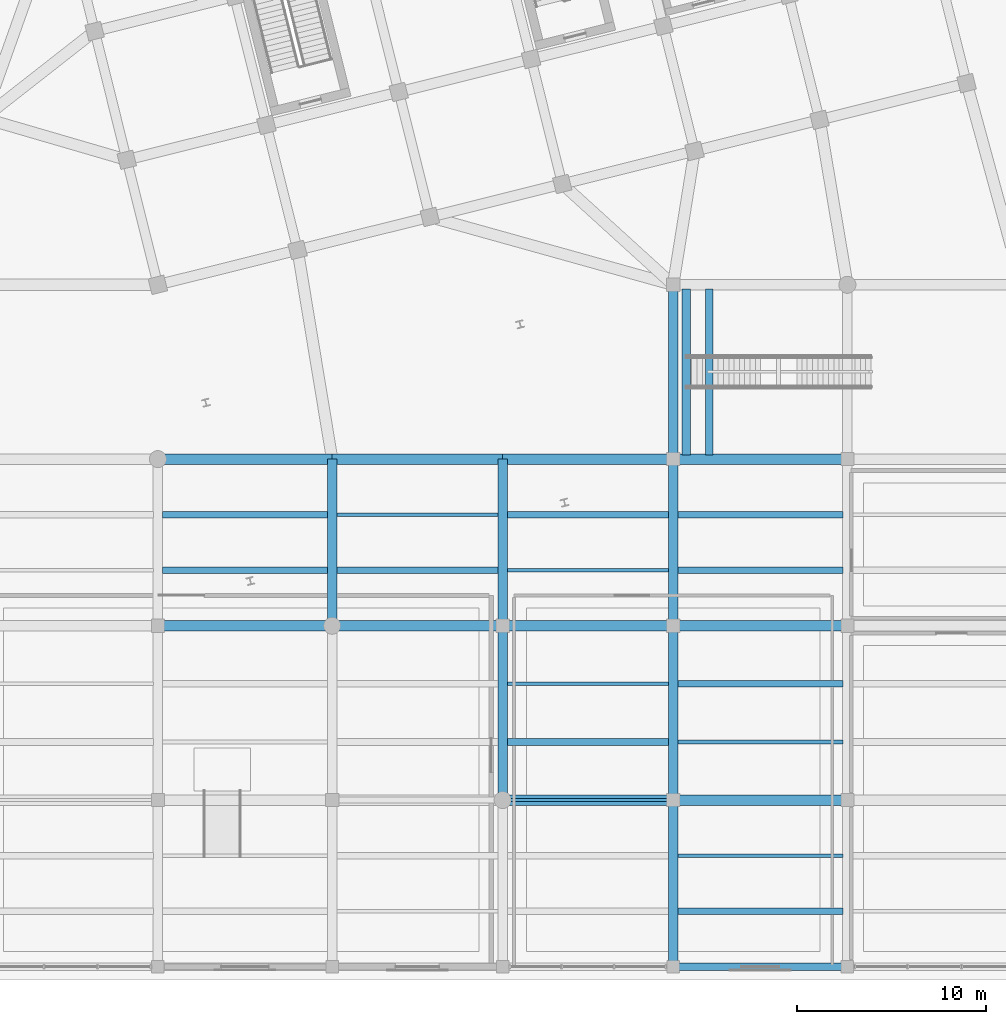
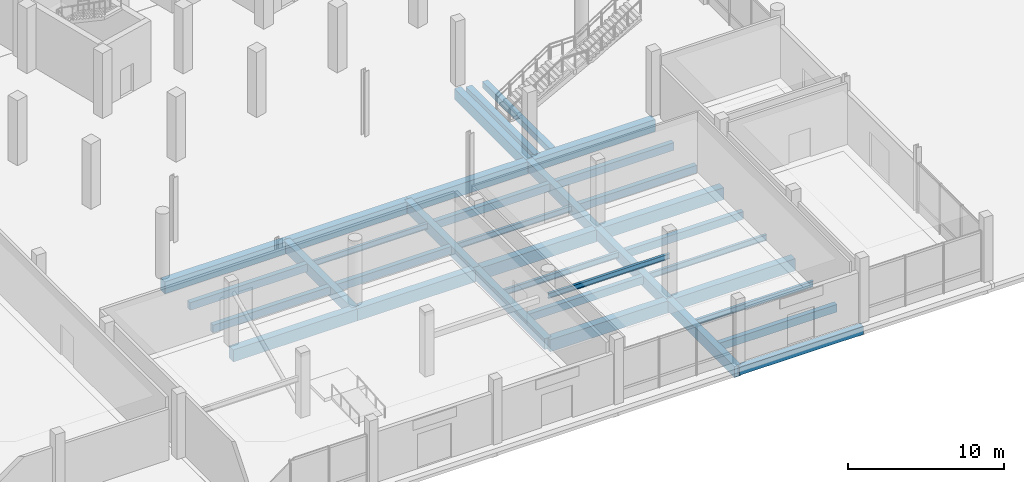
# One storey, part 13 of 73: 35 beams.
"""IFC4 building model written with IfcOpenShell, lengths in metres."""

from ifc_helpers import new_model, si_unit, direction, frame, origin, origin_2d, place, context, subcontext, project, spatial, rectangle, i_section, extrude, material, material_profile, profile_set, type_object, element, save


model = new_model("IFC4")

# Units and contexts
model_context = context("Model", 3, precision=1e-05, world=origin(), true_north=direction((0.0, 1.0)))
body_context = subcontext(model_context, "Body", "Model", "MODEL_VIEW")
ifc_project = project(units=[si_unit("LENGTHUNIT", "METRE"), si_unit("AREAUNIT", "SQUARE_METRE"), si_unit("VOLUMEUNIT", "CUBIC_METRE"), si_unit("PLANEANGLEUNIT", "RADIAN"), si_unit("MASSUNIT", "GRAM", prefix="KILO")], contexts=[model_context])

# Site, building, storey
site_placement = place(None, origin())
site = spatial("IfcSite", under=ifc_project, at=site_placement, CompositionType="ELEMENT")
building_placement = place(site_placement, origin())
building = spatial("IfcBuilding", under=site, at=building_placement, Name="Meriwether Solvik Hall", CompositionType="ELEMENT")
storey_placement = place(building_placement, origin())
storey = spatial("IfcBuildingStorey", under=building, at=storey_placement, Name="L00", CompositionType="ELEMENT", Elevation=0.0)

# Beams
ifc_material_1 = material(Name="Concrete C40/50", Category="concrete")
ifc_material_profile_1 = material_profile(ifc_material_1, rectangle(XDim=0.39990234375, YDim=0.47998046875, at=origin_2d()), Name="RCB-400X480")
ifc_profile_set_1 = profile_set([ifc_material_profile_1], Name="Concrete C40/50")
beam_type_1 = type_object("IfcBeamType", Name="BM-LND-RC-400X480", PredefinedType="BEAM", material=ifc_profile_set_1)
beam_1_placement = place(storey_placement, frame((97.7021484375, 32.215087890625, -0.60009765625), z_axis=(0.0, 1.0, 0.0), x_axis=(-1.0, 0.0, 0.0)))
element("IfcBeam", 1, at=beam_1_placement, inside=storey, type_object=beam_type_1, Name="Stair ST-AT1 Spine Trimmer Beam", PredefinedType="BEAM", context=body_context, shape_type="SweptSolid", body=[
    extrude(rectangle(XDim=0.39990234375, YDim=0.47998046875, at=origin_2d()), origin(), (0.0, 0.0, 1.0), 8.77001953125),
])
ifc_material_2 = material(Name="Concrete C40/50", Category="concrete")
ifc_material_profile_2 = material_profile(ifc_material_2, rectangle(XDim=0.35009765625, YDim=0.60009765625, at=origin_2d()), Name="RCB-350X600")
ifc_profile_set_2 = profile_set([ifc_material_profile_2], Name="Concrete C40/50")
beam_type_2 = type_object("IfcBeamType", Name="BM-RC-350X600", PredefinedType="JOIST", material=ifc_profile_set_2)
for number, where, z_axis, x_axis, name in (
    (2, (68.844970703125, 26.13330078125, -0.659912109375), (1.0, 0.0, 0.0), (0.0, 1.0, 0.0), "Secondary Floor Joist 8/C_J1 (L00)"),
    (3, (68.844970703125, 29.066650390625, -0.659912109375), (1.0, 0.0, 0.0), (0.0, 1.0, 0.0), "Secondary Floor Joist 8/C_J2 (L00)"),
):
    element("IfcBeam", number, at=place(storey_placement, frame(where, z_axis=z_axis, x_axis=x_axis)), inside=storey, type_object=beam_type_2, Name=name, PredefinedType="JOIST", context=body_context, shape_type="SweptSolid", body=[
        extrude(rectangle(XDim=0.35009765625, YDim=0.60009765625, at=origin_2d()), origin(), (0.0, 0.0, 1.0), 8.7099609375),
    ])
for number, where, z_axis, x_axis, name in (
    (4, (78.044921875, 26.13330078125, -0.659912109375), (1.0, 0.0, 0.0), (0.0, 1.0, 0.0), "Secondary Floor Joist 9/C_J1 (L00)"),
    (5, (87.044921875, 17.066650390625, -0.659912109375), (1.0, 0.0, 0.0), (0.0, 1.0, 0.0), "Secondary Floor Joist 10/B_J1 (L00)"),
    (6, (87.044921875, 29.066650390625, -0.659912109375), (1.0, 0.0, 0.0), (0.0, 1.0, 0.0), "Secondary Floor Joist 10/C_J2 (L00)"),
):
    element("IfcBeam", number, at=place(storey_placement, frame(where, z_axis=z_axis, x_axis=x_axis)), inside=storey, type_object=beam_type_2, Name=name, PredefinedType="JOIST", context=body_context, shape_type="SweptSolid", body=[
        extrude(rectangle(XDim=0.35009765625, YDim=0.60009765625, at=origin_2d()), origin(), (0.0, 0.0, 1.0), 8.510009765625),
    ])
for number, where, z_axis, x_axis, name in (
    (7, (96.044921875, 8.13330078125, -0.659912109375), (1.0, 0.0, 0.0), (0.0, 1.0, 0.0), "Secondary Floor Joist 11/A_J1 (L00)"),
    (8, (96.044921875, 20.13330078125, -0.659912109375), (1.0, 0.0, 0.0), (0.0, 1.0, 0.0), "Secondary Floor Joist 11/B_J2 (L00)"),
    (9, (96.044921875, 26.13330078125, -0.659912109375), (1.0, 0.0, 0.0), (0.0, 1.0, 0.0), "Secondary Floor Joist 11/C_J1 (L00)"),
    (10, (96.044921875, 29.066650390625, -0.659912109375), (1.0, 0.0, 0.0), (0.0, 1.0, 0.0), "Secondary Floor Joist 11/C_J2 (L00)"),
):
    element("IfcBeam", number, at=place(storey_placement, frame(where, z_axis=z_axis, x_axis=x_axis)), inside=storey, type_object=beam_type_2, Name=name, PredefinedType="JOIST", context=body_context, shape_type="SweptSolid", body=[
        extrude(rectangle(XDim=0.35009765625, YDim=0.60009765625, at=origin_2d()), origin(), (0.0, 0.0, 1.0), 8.7099609375),
    ])
ifc_material_3 = material(Name="Concrete C40/50", Category="concrete")
ifc_material_profile_3 = material_profile(ifc_material_3, rectangle(XDim=0.39990234375, YDim=0.64990234375, at=origin_2d()), Name="RCB-400X650")
ifc_profile_set_3 = profile_set([ifc_material_profile_3], Name="Concrete C40/50")
beam_type_3 = type_object("IfcBeamType", Name="BM-RC-400X650", PredefinedType="SPANDREL", material=ifc_profile_set_3)
beam_2_placement = place(storey_placement, frame((95.800048828125, 5.199951171875, -0.68505859375), z_axis=(1.0, 0.0, 0.0), x_axis=(0.0, 1.0, 0.0)))
element("IfcBeam", 11, at=beam_2_placement, inside=storey, type_object=beam_type_3, Name="Podium Girder A:11-12 (L00)", PredefinedType="SPANDREL", context=body_context, shape_type="SweptSolid", body=[
    extrude(rectangle(XDim=0.39990234375, YDim=0.64990234375, at=origin_2d()), origin(), (0.0, 0.0, 1.0), 9.199951171875),
])
ifc_material_4 = material(Name="Concrete C40/50", Category="concrete")
ifc_material_profile_4 = material_profile(ifc_material_4, rectangle(XDim=0.449951171875, YDim=0.699951171875, at=origin_2d()), Name="RCB-450X700")
ifc_profile_set_4 = profile_set([ifc_material_profile_4], Name="Concrete C40/50")
beam_type_4 = type_object("IfcBeamType", Name="BM-RC-450X700", PredefinedType="BEAM", material=ifc_profile_set_4)
beam_3_placement = place(storey_placement, frame((96.5, 32.215087890625, -0.7099609375), z_axis=(0.0, 1.0, 0.0), x_axis=(-1.0, 0.0, 0.0)))
element("IfcBeam", 12, at=beam_3_placement, inside=storey, type_object=beam_type_4, Name="Stair ST-AT1 Bottom Trimmer Beam", PredefinedType="BEAM", context=body_context, shape_type="SweptSolid", body=[
    extrude(rectangle(XDim=0.449951171875, YDim=0.699951171875, at=origin_2d()), origin(), (0.0, 0.0, 1.0), 8.77001953125),
])
ifc_material_5 = material(Name="Concrete C40/50", Category="concrete")
ifc_material_profile_5 = material_profile(ifc_material_5, rectangle(XDim=0.5, YDim=0.85009765625, at=origin_2d()), Name="RCB-500X850")
ifc_profile_set_5 = profile_set([ifc_material_profile_5], Name="Concrete C40/50")
beam_type_5 = type_object("IfcBeamType", Name="BM-RC-500X850", PredefinedType="BEAM", material=ifc_profile_set_5)
beam_4_placement = place(storey_placement, frame((77.800048828125, 23.199951171875, -0.784912109375), z_axis=(0.0, 1.0, 0.0), x_axis=(-1.0, 0.0, 0.0)))
element("IfcBeam", 13, at=beam_4_placement, inside=storey, type_object=beam_type_5, Name="Podium Girder 9:C-D (L00)", PredefinedType="BEAM", context=body_context, shape_type="SweptSolid", body=[
    extrude(rectangle(XDim=0.5, YDim=0.85009765625, at=origin_2d()), origin(), (0.0, 0.0, 1.0), 8.800048828125),
])
beam_5_placement = place(storey_placement, frame((86.800048828125, 14.0, -0.784912109375), z_axis=(0.0, 1.0, 0.0), x_axis=(-1.0, 0.0, 0.0)))
element("IfcBeam", 14, at=beam_5_placement, inside=storey, type_object=beam_type_5, Name="Podium Girder 10:B-C (L00)", PredefinedType="BEAM", context=body_context, shape_type="SweptSolid", body=[
    extrude(rectangle(XDim=0.5, YDim=0.85009765625, at=origin_2d()), origin(), (0.0, 0.0, 1.0), 9.199951171875),
])
for number, where, z_axis, x_axis, name in (
    (15, (86.800048828125, 23.199951171875, -0.784912109375), (0.0, 1.0, 0.0), (-1.0, 0.0, 0.0), "Podium Girder 10:C-D (L00)"),
    (16, (95.800048828125, 5.199951171875, -0.784912109375), (0.0, 1.0, 0.0), (-1.0, 0.0, 0.0), "Podium Girder 11:A-B (L00)"),
):
    element("IfcBeam", number, at=place(storey_placement, frame(where, z_axis=z_axis, x_axis=x_axis)), inside=storey, type_object=beam_type_5, Name=name, PredefinedType="BEAM", context=body_context, shape_type="SweptSolid", body=[
        extrude(rectangle(XDim=0.5, YDim=0.85009765625, at=origin_2d()), origin(), (0.0, 0.0, 1.0), 8.800048828125),
    ])
beam_6_placement = place(storey_placement, frame((95.800048828125, 14.0, -0.784912109375), z_axis=(0.0, 1.0, 0.0), x_axis=(-1.0, 0.0, 0.0)))
element("IfcBeam", 17, at=beam_6_placement, inside=storey, type_object=beam_type_5, Name="Podium Girder 11:B-C (L00)", PredefinedType="BEAM", context=body_context, shape_type="SweptSolid", body=[
    extrude(rectangle(XDim=0.5, YDim=0.85009765625, at=origin_2d()), origin(), (0.0, 0.0, 1.0), 9.199951171875),
])
beam_7_placement = place(storey_placement, frame((95.800048828125, 23.199951171875, -0.784912109375), z_axis=(0.0, 1.0, 0.0), x_axis=(-1.0, 0.0, 0.0)))
element("IfcBeam", 18, at=beam_7_placement, inside=storey, type_object=beam_type_5, Name="Podium Girder 11:C-D (L00)", PredefinedType="BEAM", context=body_context, shape_type="SweptSolid", body=[
    extrude(rectangle(XDim=0.5, YDim=0.85009765625, at=origin_2d()), origin(), (0.0, 0.0, 1.0), 8.800048828125),
])
beam_8_placement = place(storey_placement, frame((95.800048828125, 32.0, -0.784912109375), z_axis=(0.0, 1.0, 0.0), x_axis=(-1.0, 0.0, 0.0)))
element("IfcBeam", 19, at=beam_8_placement, inside=storey, type_object=beam_type_5, Name="Podium Girder 11:D-E (L00)", PredefinedType="BEAM", context=body_context, shape_type="SweptSolid", body=[
    extrude(rectangle(XDim=0.5, YDim=0.85009765625, at=origin_2d()), origin(), (0.0, 0.0, 1.0), 9.199951171875),
])
ifc_material_6 = material(Name="Concrete C40/50", Category="concrete")
ifc_material_profile_6 = material_profile(ifc_material_6, rectangle(XDim=0.550048828125, YDim=0.949951171875, at=origin_2d()), Name="RCB-550X950")
ifc_profile_set_6 = profile_set([ifc_material_profile_6], Name="Concrete C40/50")
beam_type_6 = type_object("IfcBeamType", Name="BM-RC-550X950", PredefinedType="BEAM", material=ifc_profile_set_6)
beam_9_placement = place(storey_placement, frame((86.800048828125, 14.0, -0.8349609375), z_axis=(1.0, 0.0, 0.0), x_axis=(0.0, 1.0, 0.0)))
element("IfcBeam", 20, at=beam_9_placement, inside=storey, type_object=beam_type_6, Name="Podium Girder B:10-11 (L00)", PredefinedType="BEAM", context=body_context, shape_type="SweptSolid", body=[
    extrude(rectangle(XDim=0.550048828125, YDim=0.949951171875, at=origin_2d()), origin(), (0.0, 0.0, 1.0), 9.0),
])
for number, where, z_axis, x_axis, name in (
    (21, (95.800048828125, 14.0, -0.8349609375), (1.0, 0.0, 0.0), (0.0, 1.0, 0.0), "Podium Girder B:11-12 (L00)"),
    (22, (68.60009765625, 23.199951171875, -0.8349609375), (1.0, 0.0, 0.0), (0.0, 1.0, 0.0), "Podium Girder C:8-9 (L00)"),
):
    element("IfcBeam", number, at=place(storey_placement, frame(where, z_axis=z_axis, x_axis=x_axis)), inside=storey, type_object=beam_type_6, Name=name, PredefinedType="BEAM", context=body_context, shape_type="SweptSolid", body=[
        extrude(rectangle(XDim=0.550048828125, YDim=0.949951171875, at=origin_2d()), origin(), (0.0, 0.0, 1.0), 9.199951171875),
    ])
for number, where, z_axis, x_axis, name in (
    (23, (77.800048828125, 23.199951171875, -0.8349609375), (1.0, 0.0, 0.0), (0.0, 1.0, 0.0), "Podium Girder C:9-10 (L00)"),
    (24, (86.800048828125, 23.199951171875, -0.8349609375), (1.0, 0.0, 0.0), (0.0, 1.0, 0.0), "Podium Girder C:10-11 (L00)"),
):
    element("IfcBeam", number, at=place(storey_placement, frame(where, z_axis=z_axis, x_axis=x_axis)), inside=storey, type_object=beam_type_6, Name=name, PredefinedType="BEAM", context=body_context, shape_type="SweptSolid", body=[
        extrude(rectangle(XDim=0.550048828125, YDim=0.949951171875, at=origin_2d()), origin(), (0.0, 0.0, 1.0), 9.0),
    ])
for number, where, z_axis, x_axis, name in (
    (25, (95.800048828125, 23.199951171875, -0.8349609375), (1.0, 0.0, 0.0), (0.0, 1.0, 0.0), "Podium Girder C:11-12 (L00)"),
    (26, (68.60009765625, 32.0, -0.8349609375), (1.0, 0.0, 0.0), (0.0, 1.0, 0.0), "Podium Girder D:8-9 (L00)"),
):
    element("IfcBeam", number, at=place(storey_placement, frame(where, z_axis=z_axis, x_axis=x_axis)), inside=storey, type_object=beam_type_6, Name=name, PredefinedType="BEAM", context=body_context, shape_type="SweptSolid", body=[
        extrude(rectangle(XDim=0.550048828125, YDim=0.949951171875, at=origin_2d()), origin(), (0.0, 0.0, 1.0), 9.199951171875),
    ])
for number, where, z_axis, x_axis, name in (
    (27, (77.800048828125, 32.0, -0.8349609375), (1.0, 0.0, 0.0), (0.0, 1.0, 0.0), "Podium Girder D:9-10 (L00)"),
    (28, (86.800048828125, 32.0, -0.8349609375), (1.0, 0.0, 0.0), (0.0, 1.0, 0.0), "Podium Girder D:10-11 (L00)"),
):
    element("IfcBeam", number, at=place(storey_placement, frame(where, z_axis=z_axis, x_axis=x_axis)), inside=storey, type_object=beam_type_6, Name=name, PredefinedType="BEAM", context=body_context, shape_type="SweptSolid", body=[
        extrude(rectangle(XDim=0.550048828125, YDim=0.949951171875, at=origin_2d()), origin(), (0.0, 0.0, 1.0), 9.0),
    ])
beam_10_placement = place(storey_placement, frame((95.800048828125, 32.0, -0.8349609375), z_axis=(1.0, 0.0, 0.0), x_axis=(0.0, 1.0, 0.0)))
element("IfcBeam", 29, at=beam_10_placement, inside=storey, type_object=beam_type_6, Name="Podium Girder D:11-12 (L00)", PredefinedType="BEAM", context=body_context, shape_type="SweptSolid", body=[
    extrude(rectangle(XDim=0.550048828125, YDim=0.949951171875, at=origin_2d()), origin(), (0.0, 0.0, 1.0), 9.199951171875),
])
ifc_material_7 = material(Name="Steel A992 Grade 50", Category="steel")
ifc_material_profile_7 = material_profile(ifc_material_7, i_section(OverallWidth=0.177978515625, OverallDepth=0.406982421875, WebThickness=0.0078125, FlangeThickness=0.0126953125, at=origin_2d()), Name="W16X40")
ifc_profile_set_7 = profile_set([ifc_material_profile_7], Name="Steel A992 Grade 50")
beam_type_7 = type_object("IfcBeamType", Name="BM-STL-W16X40", PredefinedType="LINTEL", material=ifc_profile_set_7)
beam_11_placement = place(storey_placement, frame((86.800048828125, 14.0, 2.946533203125), z_axis=(1.0, 0.0, 0.0), x_axis=(0.0, 1.0, 0.0)))
element("IfcBeam", 30, at=beam_11_placement, inside=storey, type_object=beam_type_7, Name="Galleria Portal Lintel B:10-11 (L00)", PredefinedType="LINTEL", context=body_context, shape_type="SweptSolid", body=[
    extrude(i_section(OverallWidth=0.177978515625, OverallDepth=0.406982421875, WebThickness=0.0078125, FlangeThickness=0.0126953125, at=origin_2d()), origin(), (0.0, 0.0, 1.0), 9.0),
])
ifc_material_8 = material(Name="Steel A992 Grade 50", Category="steel")
ifc_material_profile_8 = material_profile(ifc_material_8, i_section(OverallWidth=0.19091796875, OverallDepth=0.45703125, WebThickness=0.009033203125, FlangeThickness=0.014404296875, at=origin_2d()), Name="W18X50")
ifc_profile_set_8 = profile_set([ifc_material_profile_8], Name="Steel A992 Grade 50")
beam_type_8 = type_object("IfcBeamType", Name="BM-STL-W18X50", PredefinedType="JOIST", material=ifc_profile_set_8)
for number, where, z_axis, x_axis, name in (
    (31, (78.044921875, 29.066650390625, -0.58837890625), (1.0, 0.0, 0.0), (0.0, 1.0, 0.0), "Secondary Floor Joist 9/C_J2 (L00)"),
    (32, (87.044921875, 20.13330078125, -0.58837890625), (1.0, 0.0, 0.0), (0.0, 1.0, 0.0), "Secondary Floor Joist 10/B_J2 (L00)"),
    (33, (87.044921875, 26.13330078125, -0.58837890625), (1.0, 0.0, 0.0), (0.0, 1.0, 0.0), "Secondary Floor Joist 10/C_J1 (L00)"),
):
    element("IfcBeam", number, at=place(storey_placement, frame(where, z_axis=z_axis, x_axis=x_axis)), inside=storey, type_object=beam_type_8, Name=name, PredefinedType="JOIST", context=body_context, shape_type="SweptSolid", body=[
        extrude(i_section(OverallWidth=0.19091796875, OverallDepth=0.45703125, WebThickness=0.009033203125, FlangeThickness=0.014404296875, at=origin_2d()), origin(), (0.0, 0.0, 1.0), 8.510009765625),
    ])
for number, where, z_axis, x_axis, name in (
    (34, (96.044921875, 11.066650390625, -0.58837890625), (1.0, 0.0, 0.0), (0.0, 1.0, 0.0), "Secondary Floor Joist 11/A_J2 (L00)"),
    (35, (96.044921875, 17.066650390625, -0.58837890625), (1.0, 0.0, 0.0), (0.0, 1.0, 0.0), "Secondary Floor Joist 11/B_J1 (L00)"),
):
    element("IfcBeam", number, at=place(storey_placement, frame(where, z_axis=z_axis, x_axis=x_axis)), inside=storey, type_object=beam_type_8, Name=name, PredefinedType="JOIST", context=body_context, shape_type="SweptSolid", body=[
        extrude(i_section(OverallWidth=0.19091796875, OverallDepth=0.45703125, WebThickness=0.009033203125, FlangeThickness=0.014404296875, at=origin_2d()), origin(), (0.0, 0.0, 1.0), 8.7099609375),
    ])

save(model, "model.ifc")
